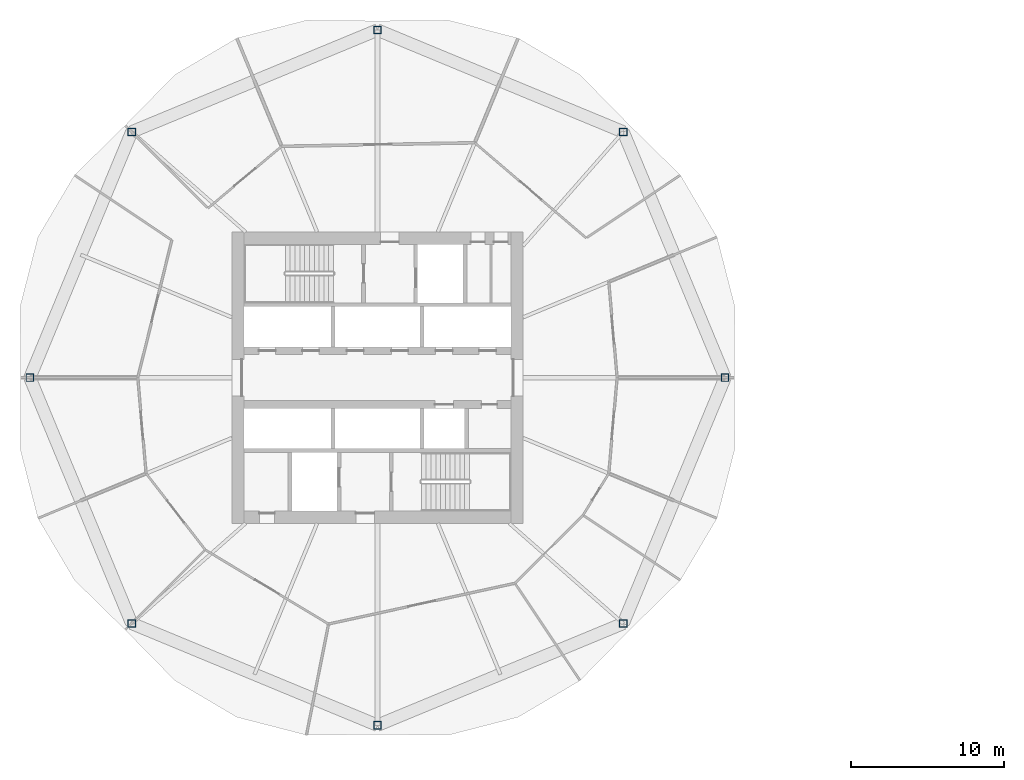
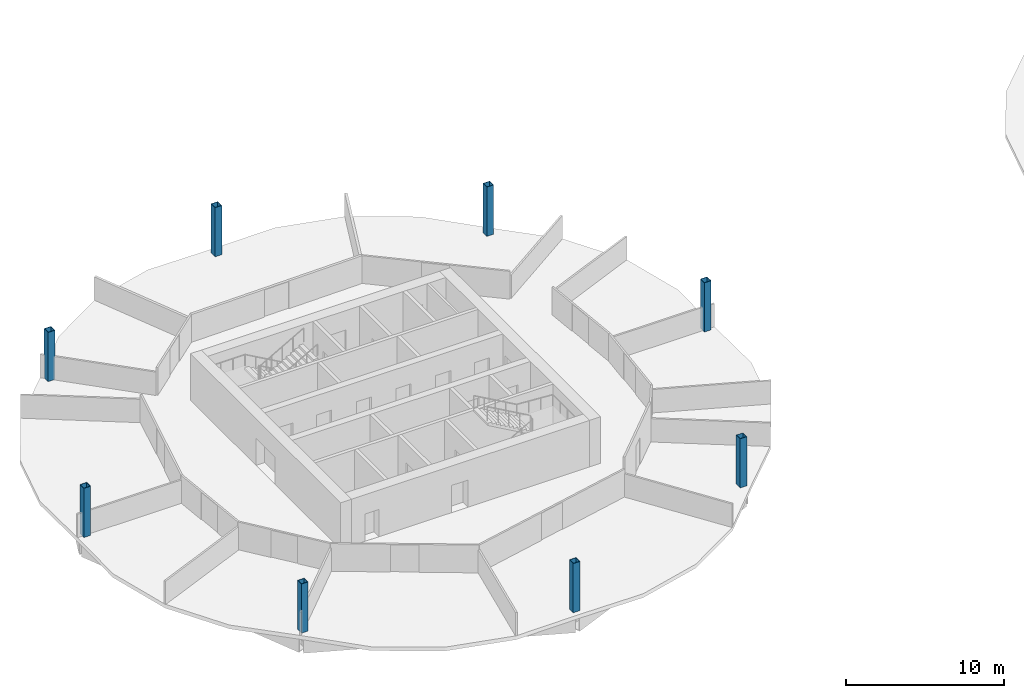
# One storey, part 1 of 9: 8 columns.
"""IFC4 building model written with IfcOpenShell, lengths in metres."""

from ifc_helpers import new_model, si_unit, direction, frame, origin, origin_2d, place, context, subcontext, project, spatial, hollow_rectangle, extrude, material, material_profile, profile_set, type_object, element, save


model = new_model("IFC4")

# Units and contexts
model_context = context("Model", 3, precision=1e-05, world=origin(), true_north=direction((0.0, 1.0)))
body_context = subcontext(model_context, "Body", "Model", "MODEL_VIEW")
ifc_project = project(units=[si_unit("LENGTHUNIT", "METRE"), si_unit("AREAUNIT", "SQUARE_METRE"), si_unit("VOLUMEUNIT", "CUBIC_METRE"), si_unit("PLANEANGLEUNIT", "RADIAN"), si_unit("MASSUNIT", "GRAM", prefix="KILO")], contexts=[model_context])

# Site, building, storey
site_placement = place(None, origin())
site = spatial("IfcSite", under=ifc_project, at=site_placement, CompositionType="ELEMENT")
building_placement = place(site_placement, origin())
building = spatial("IfcBuilding", under=site, at=building_placement, Name="Ogive Gate Towers", CompositionType="ELEMENT")
storey_placement = place(building_placement, frame((0.0, 0.0, 91.800048828125)))
storey = spatial("IfcBuildingStorey", under=building, at=storey_placement, Name="L21", CompositionType="ELEMENT", Elevation=91.800048828125)

# Columns
ifc_material = material(Name="Steel SM460", Category="steel")
ifc_material_profile = material_profile(ifc_material, hollow_rectangle(XDim=0.5, YDim=0.5, WallThickness=0.030029296875, at=origin_2d()), Name="BX 500x500x30")
ifc_profile_set = profile_set([ifc_material_profile], Name="Steel SM460")
column_type = type_object("IfcColumnType", Name="Perimeter post BX 500x500x30", PredefinedType="COLUMN", material=ifc_profile_set)
for number, where, z_axis, x_axis, name in (
    (1, (-13.330078125, 0.0, 0.0), (0.0, 0.0, 1.0), (1.0, 0.0, 0.0), "T1/L21/SCL001"),
    (2, (-19.969970703125, 16.030029296875, 0.0), (0.0, 0.0, 1.0), (1.0, 0.0, 0.0), "T1/L21/SCL002"),
    (3, (-36.0, 22.669921875, 0.0), (0.0, 0.0, 1.0), (1.0, 0.0, 0.0), "T1/L21/SCL003"),
    (4, (-52.030029296875, 16.030029296875, 0.0), (0.0, 0.0, 1.0), (1.0, 0.0, 0.0), "T1/L21/SCL004"),
    (5, (-58.669921875, 0.0, 0.0), (0.0, 0.0, 1.0), (1.0, 0.0, 0.0), "T1/L21/SCL005"),
    (6, (-52.030029296875, -16.030029296875, 0.0), (0.0, 0.0, 1.0), (1.0, 0.0, 0.0), "T1/L21/SCL006"),
    (7, (-36.0, -22.669921875, 0.0), (0.0, 0.0, 1.0), (1.0, 0.0, 0.0), "T1/L21/SCL007"),
    (8, (-19.969970703125, -16.030029296875, 0.0), (0.0, 0.0, 1.0), (1.0, 0.0, 0.0), "T1/L21/SCL008"),
):
    element("IfcColumn", number, at=place(storey_placement, frame(where, z_axis=z_axis, x_axis=x_axis)), inside=storey, type_object=column_type, Name=name, PredefinedType="COLUMN", context=body_context, shape_type="SweptSolid", body=[
        extrude(hollow_rectangle(XDim=0.5, YDim=0.5, WallThickness=0.030029296875, at=origin_2d()), origin(), (0.0, 0.0, 1.0), 3.800048828125),
    ])

save(model, "model.ifc")
